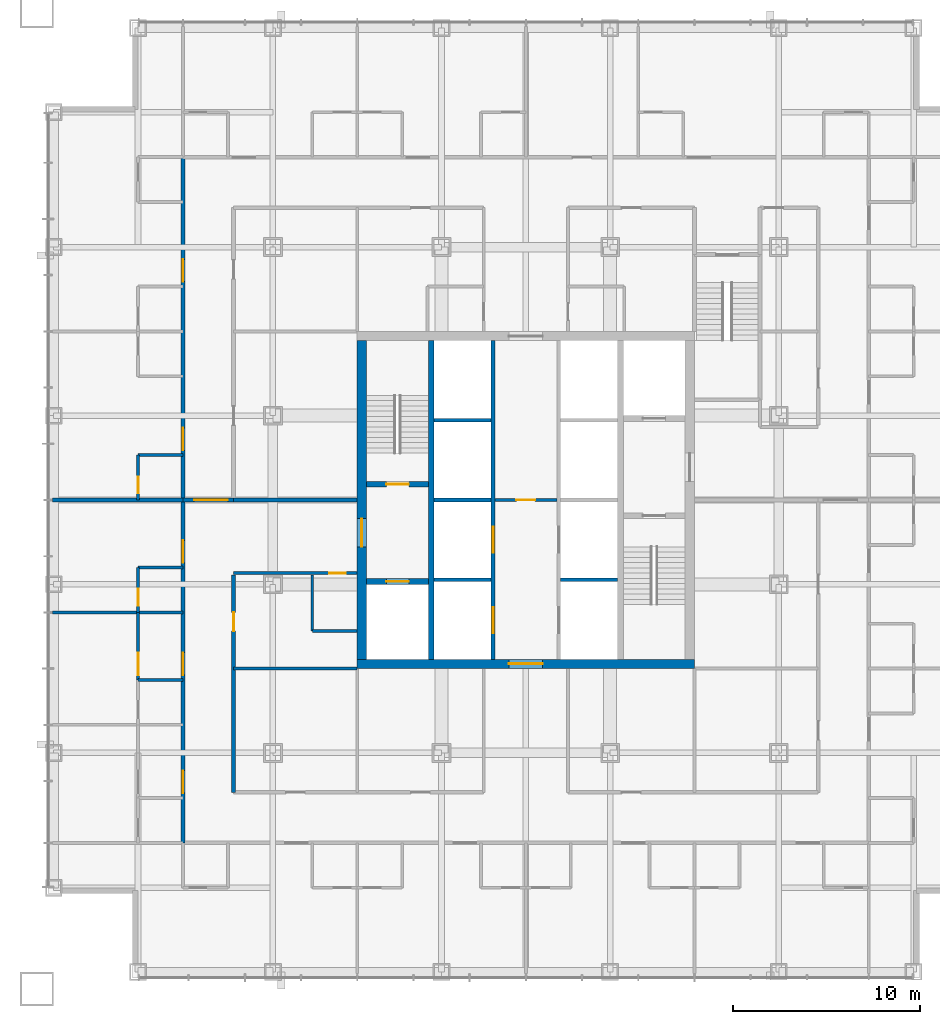
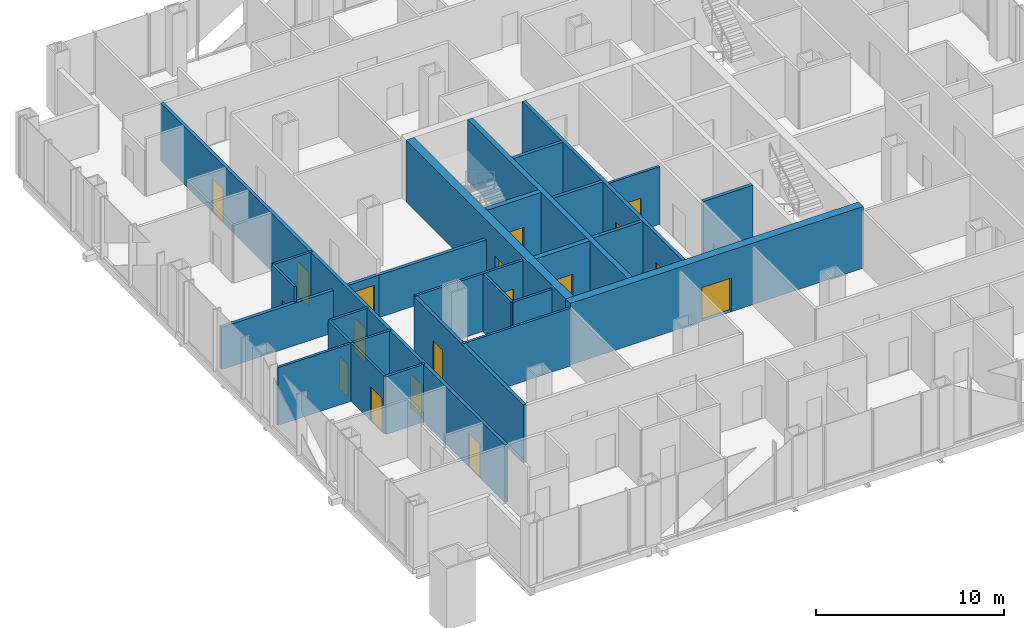
# One storey, part 8 of 13: 27 walls, 18 doors, 18 openings.
"""IFC4 building model written with IfcOpenShell, lengths in metres."""

from ifc_helpers import new_model, si_unit, direction, frame, frame_2d, origin, place, context, subcontext, project, spatial, rectangle, extrude, material, layer, layer_set, type_object, element, fill, save


model = new_model("IFC4")

# Units and contexts
model_context = context("Model", 3, precision=1e-05, world=origin(), true_north=direction((0.0, 1.0)))
body_context = subcontext(model_context, "Body", "Model", "MODEL_VIEW")
ifc_project = project(units=[si_unit("LENGTHUNIT", "METRE"), si_unit("AREAUNIT", "SQUARE_METRE"), si_unit("VOLUMEUNIT", "CUBIC_METRE"), si_unit("PLANEANGLEUNIT", "RADIAN"), si_unit("MASSUNIT", "GRAM", prefix="KILO")], contexts=[model_context])

# Site, building, storey
site_placement = place(None, origin())
site = spatial("IfcSite", under=ifc_project, at=site_placement, CompositionType="ELEMENT")
building_placement = place(site_placement, origin())
building = spatial("IfcBuilding", under=site, at=building_placement, Name="Malebo Sky Hospital", CompositionType="ELEMENT")
storey_placement = place(building_placement, frame((0.0, 0.0, 39.0)))
storey = spatial("IfcBuildingStorey", under=building, at=storey_placement, Name="L08", CompositionType="ELEMENT", Elevation=39.0)

# Wall, openings, doors
ifc_material_1 = material(Name="Concrete C80/95", Category="concrete")
ifc_layer_1 = layer(ifc_material_1, 0.199951171875)
ifc_layer_set_1 = layer_set([ifc_layer_1], Name="CORE INNER WALL 200")
wall_type_1 = type_object("IfcWallType", Name="CORE INNER WALL 200", PredefinedType="SHEAR", material=ifc_layer_set_1)
wall_1_placement = place(storey_placement, frame((58.25, 53.5, 0.0), z_axis=(0.0, 0.0, 1.0), x_axis=(0.0, 1.0, 0.0)))
wall_1 = element("IfcWall", 1, at=wall_1_placement, inside=storey, type_object=wall_type_1, Name="Core wall LW L08", PredefinedType="SHEAR", context=body_context, shape_type="SweptSolid", body=[
    extrude(rectangle(XDim=17.0, YDim=0.199951171875, at=frame_2d((8.5, 0.0))), origin(), (0.0, 0.0, 1.0), 4.0),
])
opening_1_placement = place(wall_1_placement, frame((1.375, 0.0, 0.0)))
opening_1 = element("IfcOpeningElement", 2, at=opening_1_placement, cuts=wall_1, Name="Opening LD1", PredefinedType="OPENING", context=body_context, shape_type="SweptSolid", body=[
    extrude(rectangle(XDim=1.39990234375, YDim=2.199951171875, at=frame_2d((0.699951171875, 1.10009765625))), frame((0.0, 0.10986328125, 0.0), z_axis=(0.0, -1.0, 0.0), x_axis=(1.0, 0.0, 0.0)), (0.0, 0.0, 1.0), 0.219970703125),
])
opening_2_placement = place(wall_1_placement, frame((5.675048828125, 0.0, 0.0)))
opening_2 = element("IfcOpeningElement", 3, at=opening_2_placement, cuts=wall_1, Name="Opening LD1", PredefinedType="OPENING", context=body_context, shape_type="SweptSolid", body=[
    extrude(rectangle(XDim=1.39990234375, YDim=2.199951171875, at=frame_2d((0.699951171875, 1.10009765625))), frame((0.0, 0.10986328125, 0.0), z_axis=(0.0, -1.0, 0.0), x_axis=(1.0, 0.0, 0.0)), (0.0, 0.0, 1.0), 0.219970703125),
])
ifc_material_2 = material(Name="Stainless steel sliding landing door", Category="steel")
door_type_1 = type_object("IfcDoorType", Name="LIFT LANDING DOOR 1400", OperationType="SLIDING_TO_LEFT", PredefinedType="DOOR", material=ifc_material_2)
door_1_placement = place(opening_1_placement, origin())
door_1 = element("IfcDoor", 4, at=door_1_placement, inside=storey, type_object=door_type_1, Name="Lift W1 landing door", OperationType="SLIDING_TO_LEFT", OverallHeight=2.199951171875, OverallWidth=1.39990234375, PredefinedType="DOOR", context=body_context, shape_type="SweptSolid", body=[
    extrude(rectangle(XDim=1.39990234375, YDim=2.199951171875, at=frame_2d((0.699951171875, 1.10009765625))), frame((0.0, 0.02490234375, 0.0), z_axis=(0.0, -1.0, 0.0), x_axis=(1.0, 0.0, 0.0)), (0.0, 0.0, 1.0), 0.050048828125),
])
fill(opening_1, door_1)
door_2_placement = place(opening_2_placement, origin())
door_2 = element("IfcDoor", 5, at=door_2_placement, inside=storey, type_object=door_type_1, Name="Lift W2 landing door", OperationType="SLIDING_TO_LEFT", OverallHeight=2.199951171875, OverallWidth=1.39990234375, PredefinedType="DOOR", context=body_context, shape_type="SweptSolid", body=[
    extrude(rectangle(XDim=1.39990234375, YDim=2.199951171875, at=frame_2d((0.699951171875, 1.10009765625))), frame((0.0, 0.02490234375, 0.0), z_axis=(0.0, -1.0, 0.0), x_axis=(1.0, 0.0, 0.0)), (0.0, 0.0, 1.0), 0.050048828125),
])
fill(opening_2, door_2)

# Walls
for number, where, z_axis, x_axis, name in (
    (6, (55.10009765625, 57.75, 0.0), (0.0, 0.0, 1.0), (1.0, 0.0, 0.0), "Core wall SW0 L08"),
    (7, (61.85009765625, 57.75, 0.0), (0.0, 0.0, 1.0), (1.0, 0.0, 0.0), "Core wall SE0 L08"),
    (8, (55.10009765625, 62.0, 0.0), (0.0, 0.0, 1.0), (1.0, 0.0, 0.0), "Core wall SW1 L08"),
    (9, (55.10009765625, 66.25, 0.0), (0.0, 0.0, 1.0), (1.0, 0.0, 0.0), "Core wall SW2 L08"),
):
    element("IfcWall", number, at=place(storey_placement, frame(where, z_axis=z_axis, x_axis=x_axis)), inside=storey, type_object=wall_type_1, Name=name, PredefinedType="SHEAR", context=body_context, shape_type="SweptSolid", body=[
        extrude(rectangle(XDim=3.0498046875, YDim=0.199951171875, at=frame_2d((1.52490234375, 0.0))), origin(), (0.0, 0.0, 1.0), 4.0),
    ])
ifc_layer_2 = layer(ifc_material_1, 0.300048828125)
ifc_layer_set_2 = layer_set([ifc_layer_2], Name="CORE INNER WALL 300")
wall_type_2 = type_object("IfcWallType", Name="CORE INNER WALL 300", PredefinedType="SHEAR", material=ifc_layer_set_2)
wall_2_placement = place(storey_placement, frame((54.949951171875, 53.5, 0.0), z_axis=(0.0, 0.0, 1.0), x_axis=(0.0, 1.0, 0.0)))
element("IfcWall", 10, at=wall_2_placement, inside=storey, type_object=wall_type_2, Name="Core wall XW L08", PredefinedType="SHEAR", context=body_context, shape_type="SweptSolid", body=[
    extrude(rectangle(XDim=17.0, YDim=0.300048828125, at=frame_2d((8.5, 0.0))), origin(), (0.0, 0.0, 1.0), 4.0),
])

# Wall, opening, door
wall_3_placement = place(storey_placement, frame((51.5, 62.85009765625, 0.0), z_axis=(0.0, 0.0, 1.0), x_axis=(1.0, 0.0, 0.0)))
wall_3 = element("IfcWall", 11, at=wall_3_placement, inside=storey, type_object=wall_type_2, Name="Core wall W1 L08", PredefinedType="SHEAR", context=body_context, shape_type="SweptSolid", body=[
    extrude(rectangle(XDim=3.300048828125, YDim=0.300048828125, at=frame_2d((1.64990234375, 0.0))), origin(), (0.0, 0.0, 1.0), 4.0),
])
opening_3_placement = place(wall_3_placement, frame((1.050048828125, 0.0, 0.0)))
opening_3 = element("IfcOpeningElement", 12, at=opening_3_placement, cuts=wall_3, Name="Opening D08", PredefinedType="OPENING", context=body_context, shape_type="SweptSolid", body=[
    extrude(rectangle(XDim=1.199951171875, YDim=2.10009765625, at=frame_2d((0.60009765625, 1.050048828125))), frame((0.0, 0.159912109375, 0.0), z_axis=(0.0, -1.0, 0.0), x_axis=(1.0, 0.0, 0.0)), (0.0, 0.0, 1.0), 0.320068359375),
])
ifc_material_3 = material(Name="Hardwood-faced door leaf in steel frame", Category="steel")
door_type_2 = type_object("IfcDoorType", Name="STAIR DOOR 1200", OperationType="SINGLE_SWING_LEFT", PredefinedType="DOOR", material=ifc_material_3)
door_3_placement = place(opening_3_placement, origin())
door_3 = element("IfcDoor", 13, at=door_3_placement, inside=storey, type_object=door_type_2, Name="Stair S1 door", OperationType="SINGLE_SWING_LEFT", OverallHeight=2.10009765625, OverallWidth=1.199951171875, PredefinedType="DOOR", context=body_context, shape_type="SweptSolid", body=[
    extrude(rectangle(XDim=1.199951171875, YDim=2.10009765625, at=frame_2d((0.60009765625, 1.050048828125))), frame((0.0, 0.02490234375, 0.0), z_axis=(0.0, -1.0, 0.0), x_axis=(1.0, 0.0, 0.0)), (0.0, 0.0, 1.0), 0.050048828125),
])
fill(opening_3, door_3)

wall_4_placement = place(storey_placement, frame((51.5, 57.64990234375, 0.0), z_axis=(0.0, 0.0, 1.0), x_axis=(1.0, 0.0, 0.0)))
wall_4 = element("IfcWall", 14, at=wall_4_placement, inside=storey, type_object=wall_type_2, Name="Core wall W2 L08", PredefinedType="SHEAR", context=body_context, shape_type="SweptSolid", body=[
    extrude(rectangle(XDim=3.300048828125, YDim=0.300048828125, at=frame_2d((1.64990234375, 0.0))), origin(), (0.0, 0.0, 1.0), 4.0),
])
opening_4_placement = place(wall_4_placement, frame((1.050048828125, 0.0, 0.0)))
opening_4 = element("IfcOpeningElement", 15, at=opening_4_placement, cuts=wall_4, Name="Opening LD2", PredefinedType="OPENING", context=body_context, shape_type="SweptSolid", body=[
    extrude(rectangle(XDim=1.199951171875, YDim=2.199951171875, at=frame_2d((0.60009765625, 1.10009765625))), frame((0.0, 0.159912109375, 0.0), z_axis=(0.0, -1.0, 0.0), x_axis=(1.0, 0.0, 0.0)), (0.0, 0.0, 1.0), 0.320068359375),
])
door_type_3 = type_object("IfcDoorType", Name="FIRE-FIGHTING LIFT LANDING DOOR 1200", OperationType="SLIDING_TO_LEFT", PredefinedType="DOOR", material=ifc_material_2)
door_4_placement = place(opening_4_placement, origin())
door_4 = element("IfcDoor", 16, at=door_4_placement, inside=storey, type_object=door_type_3, Name="Lift FL1 landing door", OperationType="SLIDING_TO_LEFT", OverallHeight=2.199951171875, OverallWidth=1.199951171875, PredefinedType="DOOR", context=body_context, shape_type="SweptSolid", body=[
    extrude(rectangle(XDim=1.199951171875, YDim=2.199951171875, at=frame_2d((0.60009765625, 1.10009765625))), frame((0.0, 0.02490234375, 0.0), z_axis=(0.0, -1.0, 0.0), x_axis=(1.0, 0.0, 0.0)), (0.0, 0.0, 1.0), 0.050048828125),
])
fill(opening_4, door_4)

ifc_layer_3 = layer(ifc_material_1, 0.5)
ifc_layer_set_3 = layer_set([ifc_layer_3], Name="CORE WALL 500")
wall_type_3 = type_object("IfcWallType", Name="CORE WALL 500", PredefinedType="SHEAR", material=ifc_layer_set_3)
wall_5_placement = place(storey_placement, frame((51.0, 53.25, 0.0), z_axis=(0.0, 0.0, 1.0), x_axis=(1.0, 0.0, 0.0)))
wall_5 = element("IfcWall", 17, at=wall_5_placement, inside=storey, type_object=wall_type_3, Name="Core wall S L08", PredefinedType="SHEAR", context=body_context, shape_type="SweptSolid", body=[
    extrude(rectangle(XDim=18.0, YDim=0.5, at=frame_2d((9.0, 0.0))), origin(), (0.0, 0.0, 1.0), 4.0),
])
opening_5_placement = place(wall_5_placement, frame((8.10009765625, 0.0, 0.0)))
opening_5 = element("IfcOpeningElement", 18, at=opening_5_placement, cuts=wall_5, Name="Opening D06", PredefinedType="OPENING", context=body_context, shape_type="SweptSolid", body=[
    extrude(rectangle(XDim=1.800048828125, YDim=2.199951171875, at=frame_2d((0.89990234375, 1.10009765625))), frame((0.0, 0.260009765625, 0.0), z_axis=(0.0, -1.0, 0.0), x_axis=(1.0, 0.0, 0.0)), (0.0, 0.0, 1.0), 0.52001953125),
])
door_type_4 = type_object("IfcDoorType", Name="LOBBY DOOR PAIR 1800", OperationType="DOUBLE_DOOR_SINGLE_SWING", PredefinedType="DOOR", material=ifc_material_3)
door_5_placement = place(opening_5_placement, origin())
door_5 = element("IfcDoor", 19, at=door_5_placement, inside=storey, type_object=door_type_4, Name="Lift lobby door south", OperationType="DOUBLE_DOOR_SINGLE_SWING", OverallHeight=2.199951171875, OverallWidth=1.800048828125, PredefinedType="DOOR", context=body_context, shape_type="SweptSolid", body=[
    extrude(rectangle(XDim=1.800048828125, YDim=2.199951171875, at=frame_2d((0.89990234375, 1.10009765625))), frame((0.0, 0.02490234375, 0.0), z_axis=(0.0, -1.0, 0.0), x_axis=(1.0, 0.0, 0.0)), (0.0, 0.0, 1.0), 0.050048828125),
])
fill(opening_5, door_5)

wall_6_placement = place(storey_placement, frame((51.25, 53.5, 0.0), z_axis=(0.0, 0.0, 1.0), x_axis=(0.0, 1.0, 0.0)))
wall_6 = element("IfcWall", 20, at=wall_6_placement, inside=storey, type_object=wall_type_3, Name="Core wall W L08", PredefinedType="SHEAR", context=body_context, shape_type="SweptSolid", body=[
    extrude(rectangle(XDim=17.0, YDim=0.5, at=frame_2d((8.5, 0.0))), origin(), (0.0, 0.0, 1.0), 4.0),
])
opening_6_placement = place(wall_6_placement, frame((6.0, 0.0, 0.0)))
opening_6 = element("IfcOpeningElement", 21, at=opening_6_placement, cuts=wall_6, Name="Opening D07", PredefinedType="OPENING", context=body_context, shape_type="SweptSolid", body=[
    extrude(rectangle(XDim=1.5, YDim=2.199951171875, at=frame_2d((0.75, 1.10009765625))), frame((0.0, 0.260009765625, 0.0), z_axis=(0.0, -1.0, 0.0), x_axis=(1.0, 0.0, 0.0)), (0.0, 0.0, 1.0), 0.52001953125),
])
door_type_5 = type_object("IfcDoorType", Name="FIRE-FIGHTING LOBBY DOOR PAIR 1500", OperationType="DOUBLE_DOOR_SINGLE_SWING", PredefinedType="DOOR", material=ifc_material_3)
door_6_placement = place(opening_6_placement, origin())
door_6 = element("IfcDoor", 22, at=door_6_placement, inside=storey, type_object=door_type_5, Name="Fire-fighting lobby door west", OperationType="DOUBLE_DOOR_SINGLE_SWING", OverallHeight=2.199951171875, OverallWidth=1.5, PredefinedType="DOOR", context=body_context, shape_type="SweptSolid", body=[
    extrude(rectangle(XDim=1.5, YDim=2.199951171875, at=frame_2d((0.75, 1.10009765625))), frame((0.0, 0.02490234375, 0.0), z_axis=(0.0, -1.0, 0.0), x_axis=(1.0, 0.0, 0.0)), (0.0, 0.0, 1.0), 0.050048828125),
])
fill(opening_6, door_6)

# Wall, openings, doors
ifc_material_4 = material(Name="Gypsum board on steel studs", Category="steel")
ifc_layer_4 = layer(ifc_material_4, 0.199951171875)
ifc_layer_set_4 = layer_set([ifc_layer_4], Name="CORRIDOR WALL 200")
wall_type_4 = type_object("IfcWallType", Name="CORRIDOR WALL 200", PredefinedType="PARTITIONING", material=ifc_layer_set_4)
wall_7_placement = place(storey_placement, frame((41.699951171875, 43.699951171875, 0.0), z_axis=(0.0, 0.0, 1.0), x_axis=(0.0, 1.0, 0.0)))
wall_7 = element("IfcWall", 23, at=wall_7_placement, inside=storey, type_object=wall_type_4, Name="Corridor Wall 200 WCO", PredefinedType="PARTITIONING", context=body_context, shape_type="SweptSolid", body=[
    extrude(rectangle(XDim=36.60009765625, YDim=0.199951171875, at=frame_2d((18.300048828125, 0.0))), origin(), (0.0, 0.0, 1.0), 3.75),
])
opening_7_placement = place(wall_7_placement, frame((2.64990234375, 0.0, 0.0)))
opening_7 = element("IfcOpeningElement", 24, at=opening_7_placement, cuts=wall_7, Name="Opening D18", PredefinedType="OPENING", context=body_context, shape_type="SweptSolid", body=[
    extrude(rectangle(XDim=1.199951171875, YDim=2.199951171875, at=frame_2d((0.60009765625, 1.10009765625))), frame((0.0, 0.10986328125, 0.0), z_axis=(0.0, -1.0, 0.0), x_axis=(1.0, 0.0, 0.0)), (0.0, 0.0, 1.0), 0.219970703125),
])
opening_8_placement = place(wall_7_placement, frame((8.949951171875, 0.0, 0.0)))
opening_8 = element("IfcOpeningElement", 25, at=opening_8_placement, cuts=wall_7, Name="Opening D18", PredefinedType="OPENING", context=body_context, shape_type="SweptSolid", body=[
    extrude(rectangle(XDim=1.199951171875, YDim=2.199951171875, at=frame_2d((0.60009765625, 1.10009765625))), frame((0.0, 0.10986328125, 0.0), z_axis=(0.0, -1.0, 0.0), x_axis=(1.0, 0.0, 0.0)), (0.0, 0.0, 1.0), 0.219970703125),
])
opening_9_placement = place(wall_7_placement, frame((14.949951171875, 0.0, 0.0)))
opening_9 = element("IfcOpeningElement", 26, at=opening_9_placement, cuts=wall_7, Name="Opening D01", PredefinedType="OPENING", context=body_context, shape_type="SweptSolid", body=[
    extrude(rectangle(XDim=1.199951171875, YDim=2.199951171875, at=frame_2d((0.60009765625, 1.10009765625))), frame((0.0, 0.10986328125, 0.0), z_axis=(0.0, -1.0, 0.0), x_axis=(1.0, 0.0, 0.0)), (0.0, 0.0, 1.0), 0.219970703125),
])
opening_10_placement = place(wall_7_placement, frame((20.949951171875, 0.0, 0.0)))
opening_10 = element("IfcOpeningElement", 27, at=opening_10_placement, cuts=wall_7, Name="Opening D01", PredefinedType="OPENING", context=body_context, shape_type="SweptSolid", body=[
    extrude(rectangle(XDim=1.199951171875, YDim=2.199951171875, at=frame_2d((0.60009765625, 1.10009765625))), frame((0.0, 0.10986328125, 0.0), z_axis=(0.0, -1.0, 0.0), x_axis=(1.0, 0.0, 0.0)), (0.0, 0.0, 1.0), 0.219970703125),
])
opening_11_placement = place(wall_7_placement, frame((29.949951171875, 0.0, 0.0)))
opening_11 = element("IfcOpeningElement", 28, at=opening_11_placement, cuts=wall_7, Name="Opening D01", PredefinedType="OPENING", context=body_context, shape_type="SweptSolid", body=[
    extrude(rectangle(XDim=1.199951171875, YDim=2.199951171875, at=frame_2d((0.60009765625, 1.10009765625))), frame((0.0, 0.10986328125, 0.0), z_axis=(0.0, -1.0, 0.0), x_axis=(1.0, 0.0, 0.0)), (0.0, 0.0, 1.0), 0.219970703125),
])
door_type_6 = type_object("IfcDoorType", Name="ANTEROOM DOOR 1200", OperationType="SINGLE_SWING_LEFT", PredefinedType="DOOR", material=ifc_material_3)
door_7_placement = place(opening_7_placement, origin())
door_7 = element("IfcDoor", 29, at=door_7_placement, inside=storey, type_object=door_type_6, Name="Anteroom door", OperationType="SINGLE_SWING_LEFT", OverallHeight=2.199951171875, OverallWidth=1.199951171875, PredefinedType="DOOR", context=body_context, shape_type="SweptSolid", body=[
    extrude(rectangle(XDim=1.199951171875, YDim=2.199951171875, at=frame_2d((0.60009765625, 1.10009765625))), frame((0.0, 0.02490234375, 0.0), z_axis=(0.0, -1.0, 0.0), x_axis=(1.0, 0.0, 0.0)), (0.0, 0.0, 1.0), 0.050048828125),
])
fill(opening_7, door_7)
door_8_placement = place(opening_8_placement, origin())
door_8 = element("IfcDoor", 30, at=door_8_placement, inside=storey, type_object=door_type_6, Name="Anteroom door", OperationType="SINGLE_SWING_LEFT", OverallHeight=2.199951171875, OverallWidth=1.199951171875, PredefinedType="DOOR", context=body_context, shape_type="SweptSolid", body=[
    extrude(rectangle(XDim=1.199951171875, YDim=2.199951171875, at=frame_2d((0.60009765625, 1.10009765625))), frame((0.0, 0.02490234375, 0.0), z_axis=(0.0, -1.0, 0.0), x_axis=(1.0, 0.0, 0.0)), (0.0, 0.0, 1.0), 0.050048828125),
])
fill(opening_8, door_8)
door_type_7 = type_object("IfcDoorType", Name="BED DOOR 1200", OperationType="SINGLE_SWING_LEFT", PredefinedType="DOOR", material=ifc_material_3)
door_9_placement = place(opening_9_placement, origin())
door_9 = element("IfcDoor", 31, at=door_9_placement, inside=storey, type_object=door_type_7, Name="Two-bed room door", OperationType="SINGLE_SWING_LEFT", OverallHeight=2.199951171875, OverallWidth=1.199951171875, PredefinedType="DOOR", context=body_context, shape_type="SweptSolid", body=[
    extrude(rectangle(XDim=1.199951171875, YDim=2.199951171875, at=frame_2d((0.60009765625, 1.10009765625))), frame((0.0, 0.02490234375, 0.0), z_axis=(0.0, -1.0, 0.0), x_axis=(1.0, 0.0, 0.0)), (0.0, 0.0, 1.0), 0.050048828125),
])
fill(opening_9, door_9)
door_10_placement = place(opening_10_placement, origin())
door_10 = element("IfcDoor", 32, at=door_10_placement, inside=storey, type_object=door_type_7, Name="Four-bed bay door", OperationType="SINGLE_SWING_LEFT", OverallHeight=2.199951171875, OverallWidth=1.199951171875, PredefinedType="DOOR", context=body_context, shape_type="SweptSolid", body=[
    extrude(rectangle(XDim=1.199951171875, YDim=2.199951171875, at=frame_2d((0.60009765625, 1.10009765625))), frame((0.0, 0.02490234375, 0.0), z_axis=(0.0, -1.0, 0.0), x_axis=(1.0, 0.0, 0.0)), (0.0, 0.0, 1.0), 0.050048828125),
])
fill(opening_10, door_10)
door_11_placement = place(opening_11_placement, origin())
door_11 = element("IfcDoor", 33, at=door_11_placement, inside=storey, type_object=door_type_7, Name="Four-bed bay door", OperationType="SINGLE_SWING_LEFT", OverallHeight=2.199951171875, OverallWidth=1.199951171875, PredefinedType="DOOR", context=body_context, shape_type="SweptSolid", body=[
    extrude(rectangle(XDim=1.199951171875, YDim=2.199951171875, at=frame_2d((0.60009765625, 1.10009765625))), frame((0.0, 0.02490234375, 0.0), z_axis=(0.0, -1.0, 0.0), x_axis=(1.0, 0.0, 0.0)), (0.0, 0.0, 1.0), 0.050048828125),
])
fill(opening_11, door_11)

# Wall, opening, door
wall_8_placement = place(storey_placement, frame((44.39990234375, 46.39990234375, 0.0), z_axis=(0.0, 0.0, 1.0), x_axis=(0.0, 1.0, 0.0)))
wall_8 = element("IfcWall", 34, at=wall_8_placement, inside=storey, type_object=wall_type_4, Name="Corridor Wall 200 WCI1", PredefinedType="PARTITIONING", context=body_context, shape_type="SweptSolid", body=[
    extrude(rectangle(XDim=11.60009765625, YDim=0.199951171875, at=frame_2d((5.800048828125, 0.0))), origin(), (0.0, 0.0, 1.0), 3.75),
])
opening_12_placement = place(wall_8_placement, frame((8.60009765625, 0.0, 0.0)))
opening_12 = element("IfcOpeningElement", 35, at=opening_12_placement, cuts=wall_8, Name="Opening D03", PredefinedType="OPENING", context=body_context, shape_type="SweptSolid", body=[
    extrude(rectangle(XDim=1.0, YDim=2.10009765625, at=frame_2d((0.5, 1.050048828125))), frame((0.0, 0.10986328125, 0.0), z_axis=(0.0, -1.0, 0.0), x_axis=(1.0, 0.0, 0.0)), (0.0, 0.0, 1.0), 0.219970703125),
])
door_type_8 = type_object("IfcDoorType", Name="ROOM DOOR 1000", OperationType="SINGLE_SWING_LEFT", PredefinedType="DOOR", material=ifc_material_3)
door_12_placement = place(opening_12_placement, origin())
door_12 = element("IfcDoor", 36, at=door_12_placement, inside=storey, type_object=door_type_8, Name="Linen store door", OperationType="SINGLE_SWING_LEFT", OverallHeight=2.10009765625, OverallWidth=1.0, PredefinedType="DOOR", context=body_context, shape_type="SweptSolid", body=[
    extrude(rectangle(XDim=1.0, YDim=2.10009765625, at=frame_2d((0.5, 1.050048828125))), frame((0.0, 0.02490234375, 0.0), z_axis=(0.0, -1.0, 0.0), x_axis=(1.0, 0.0, 0.0)), (0.0, 0.0, 1.0), 0.050048828125),
])
fill(opening_12, door_12)

# Walls
ifc_layer_5 = layer(ifc_material_4, 0.14990234375)
ifc_layer_set_5 = layer_set([ifc_layer_5], Name="PARTITION 150")
wall_type_5 = type_object("IfcWallType", Name="PARTITION 150", PredefinedType="PARTITIONING", material=ifc_layer_set_5)
wall_9_placement = place(storey_placement, frame((41.699951171875, 56.0, 0.0), z_axis=(0.0, 0.0, 1.0), x_axis=(-1.0, 0.0, 0.0)))
element("IfcWall", 37, at=wall_9_placement, inside=storey, type_object=wall_type_5, Name="Partition 150 WP-6.0", PredefinedType="PARTITIONING", context=body_context, shape_type="SweptSolid", body=[
    extrude(rectangle(XDim=6.974853515625, YDim=0.14990234375, at=frame_2d((3.4873046875, 0.0))), origin(), (0.0, 0.0, 1.0), 3.75),
])
wall_10_placement = place(storey_placement, frame((41.699951171875, 52.39990234375, 0.0), z_axis=(0.0, 0.0, 1.0), x_axis=(-1.0, 0.0, 0.0)))
element("IfcWall", 38, at=wall_10_placement, inside=storey, type_object=wall_type_5, Name="Partition 150 WE1S", PredefinedType="PARTITIONING", context=body_context, shape_type="SweptSolid", body=[
    extrude(rectangle(XDim=2.39990234375, YDim=0.14990234375, at=frame_2d((1.199951171875, 0.0))), origin(), (0.0, 0.0, 1.0), 3.75),
])

# Wall, opening, door
wall_11_placement = place(storey_placement, frame((39.300048828125, 56.0, 0.0), z_axis=(0.0, 0.0, 1.0), x_axis=(0.0, 1.0, 0.0)))
wall_11 = element("IfcWall", 39, at=wall_11_placement, inside=storey, type_object=wall_type_5, Name="Partition 150 WE2F", PredefinedType="PARTITIONING", context=body_context, shape_type="SweptSolid", body=[
    extrude(rectangle(XDim=2.39990234375, YDim=0.14990234375, at=frame_2d((1.199951171875, 0.0))), origin(), (0.0, 0.0, 1.0), 3.75),
])
opening_13_placement = place(wall_11_placement, frame((0.35009765625, 0.0, 0.0)))
opening_13 = element("IfcOpeningElement", 40, at=opening_13_placement, cuts=wall_11, Name="Opening D02", PredefinedType="OPENING", context=body_context, shape_type="SweptSolid", body=[
    extrude(rectangle(XDim=0.89990234375, YDim=2.10009765625, at=frame_2d((0.449951171875, 1.050048828125))), frame((0.0, 0.0849609375, 0.0), z_axis=(0.0, -1.0, 0.0), x_axis=(1.0, 0.0, 0.0)), (0.0, 0.0, 1.0), 0.169921875),
])
door_type_9 = type_object("IfcDoorType", Name="EN-SUITE DOOR 900", OperationType="SINGLE_SWING_LEFT", PredefinedType="DOOR", material=ifc_material_3)
door_13_placement = place(opening_13_placement, origin())
door_13 = element("IfcDoor", 41, at=door_13_placement, inside=storey, type_object=door_type_9, Name="En-suite door", OperationType="SINGLE_SWING_LEFT", OverallHeight=2.10009765625, OverallWidth=0.89990234375, PredefinedType="DOOR", context=body_context, shape_type="SweptSolid", body=[
    extrude(rectangle(XDim=0.89990234375, YDim=2.10009765625, at=frame_2d((0.449951171875, 1.050048828125))), frame((0.0, 0.02490234375, 0.0), z_axis=(0.0, -1.0, 0.0), x_axis=(1.0, 0.0, 0.0)), (0.0, 0.0, 1.0), 0.050048828125),
])
fill(opening_13, door_13)

# Wall
wall_12_placement = place(storey_placement, frame((41.699951171875, 58.39990234375, 0.0), z_axis=(0.0, 0.0, 1.0), x_axis=(-1.0, 0.0, 0.0)))
element("IfcWall", 42, at=wall_12_placement, inside=storey, type_object=wall_type_5, Name="Partition 150 WE2S", PredefinedType="PARTITIONING", context=body_context, shape_type="SweptSolid", body=[
    extrude(rectangle(XDim=2.39990234375, YDim=0.14990234375, at=frame_2d((1.199951171875, 0.0))), origin(), (0.0, 0.0, 1.0), 3.75),
])

# Wall, opening, door
wall_13_placement = place(storey_placement, frame((39.300048828125, 62.0, 0.0), z_axis=(0.0, 0.0, 1.0), x_axis=(0.0, 1.0, 0.0)))
wall_13 = element("IfcWall", 43, at=wall_13_placement, inside=storey, type_object=wall_type_5, Name="Partition 150 WE3F", PredefinedType="PARTITIONING", context=body_context, shape_type="SweptSolid", body=[
    extrude(rectangle(XDim=2.39990234375, YDim=0.14990234375, at=frame_2d((1.199951171875, 0.0))), origin(), (0.0, 0.0, 1.0), 3.75),
])
opening_14_placement = place(wall_13_placement, frame((0.35009765625, 0.0, 0.0)))
opening_14 = element("IfcOpeningElement", 44, at=opening_14_placement, cuts=wall_13, Name="Opening D02", PredefinedType="OPENING", context=body_context, shape_type="SweptSolid", body=[
    extrude(rectangle(XDim=0.89990234375, YDim=2.10009765625, at=frame_2d((0.449951171875, 1.050048828125))), frame((0.0, 0.0849609375, 0.0), z_axis=(0.0, -1.0, 0.0), x_axis=(1.0, 0.0, 0.0)), (0.0, 0.0, 1.0), 0.169921875),
])
door_14_placement = place(opening_14_placement, origin())
door_14 = element("IfcDoor", 45, at=door_14_placement, inside=storey, type_object=door_type_9, Name="En-suite door", OperationType="SINGLE_SWING_LEFT", OverallHeight=2.10009765625, OverallWidth=0.89990234375, PredefinedType="DOOR", context=body_context, shape_type="SweptSolid", body=[
    extrude(rectangle(XDim=0.89990234375, YDim=2.10009765625, at=frame_2d((0.449951171875, 1.050048828125))), frame((0.0, 0.02490234375, 0.0), z_axis=(0.0, -1.0, 0.0), x_axis=(1.0, 0.0, 0.0)), (0.0, 0.0, 1.0), 0.050048828125),
])
fill(opening_14, door_14)

# Walls
wall_14_placement = place(storey_placement, frame((41.699951171875, 64.39990234375, 0.0), z_axis=(0.0, 0.0, 1.0), x_axis=(-1.0, 0.0, 0.0)))
element("IfcWall", 46, at=wall_14_placement, inside=storey, type_object=wall_type_5, Name="Partition 150 WE3S", PredefinedType="PARTITIONING", context=body_context, shape_type="SweptSolid", body=[
    extrude(rectangle(XDim=2.39990234375, YDim=0.14990234375, at=frame_2d((1.199951171875, 0.0))), origin(), (0.0, 0.0, 1.0), 3.75),
])
wall_15_placement = place(storey_placement, frame((51.0, 53.0, 0.0), z_axis=(0.0, 0.0, 1.0), x_axis=(-1.0, 0.0, 0.0)))
element("IfcWall", 47, at=wall_15_placement, inside=storey, type_object=wall_type_5, Name="Partition 150 WSP0", PredefinedType="PARTITIONING", context=body_context, shape_type="SweptSolid", body=[
    extrude(rectangle(XDim=6.60009765625, YDim=0.14990234375, at=frame_2d((3.300048828125, 0.0))), origin(), (0.0, 0.0, 1.0), 3.75),
])

# Wall, opening, door
wall_16_placement = place(storey_placement, frame((51.0, 58.10009765625, 0.0), z_axis=(0.0, 0.0, 1.0), x_axis=(-1.0, 0.0, 0.0)))
wall_16 = element("IfcWall", 48, at=wall_16_placement, inside=storey, type_object=wall_type_5, Name="Partition 150 WSPA", PredefinedType="PARTITIONING", context=body_context, shape_type="SweptSolid", body=[
    extrude(rectangle(XDim=6.60009765625, YDim=0.14990234375, at=frame_2d((3.300048828125, 0.0))), origin(), (0.0, 0.0, 1.0), 3.75),
])
opening_15_placement = place(wall_16_placement, frame((0.60009765625, 0.0, 0.0)))
opening_15 = element("IfcOpeningElement", 49, at=opening_15_placement, cuts=wall_16, Name="Opening D04", PredefinedType="OPENING", context=body_context, shape_type="SweptSolid", body=[
    extrude(rectangle(XDim=0.89990234375, YDim=2.10009765625, at=frame_2d((0.449951171875, 1.050048828125))), frame((0.0, 0.0849609375, 0.0), z_axis=(0.0, -1.0, 0.0), x_axis=(1.0, 0.0, 0.0)), (0.0, 0.0, 1.0), 0.169921875),
])
door_type_10 = type_object("IfcDoorType", Name="ROOM DOOR 900", OperationType="SINGLE_SWING_LEFT", PredefinedType="DOOR", material=ifc_material_3)
door_15_placement = place(opening_15_placement, origin())
door_15 = element("IfcDoor", 50, at=door_15_placement, inside=storey, type_object=door_type_10, Name="Cleaner's room door", OperationType="SINGLE_SWING_LEFT", OverallHeight=2.10009765625, OverallWidth=0.89990234375, PredefinedType="DOOR", context=body_context, shape_type="SweptSolid", body=[
    extrude(rectangle(XDim=0.89990234375, YDim=2.10009765625, at=frame_2d((0.449951171875, 1.050048828125))), frame((0.0, 0.02490234375, 0.0), z_axis=(0.0, -1.0, 0.0), x_axis=(1.0, 0.0, 0.0)), (0.0, 0.0, 1.0), 0.050048828125),
])
fill(opening_15, door_15)

# Walls
wall_17_placement = place(storey_placement, frame((48.60009765625, 55.0, 0.0), z_axis=(0.0, 0.0, 1.0), x_axis=(0.0, 1.0, 0.0)))
element("IfcWall", 51, at=wall_17_placement, inside=storey, type_object=wall_type_5, Name="Partition 150 WSX0", PredefinedType="PARTITIONING", context=body_context, shape_type="SweptSolid", body=[
    extrude(rectangle(XDim=3.0, YDim=0.14990234375, at=frame_2d((1.5, 0.0))), origin(), (0.0, 0.0, 1.0), 3.75),
])
wall_18_placement = place(storey_placement, frame((51.0, 55.0, 0.0), z_axis=(0.0, 0.0, 1.0), x_axis=(-1.0, 0.0, 0.0)))
element("IfcWall", 52, at=wall_18_placement, inside=storey, type_object=wall_type_5, Name="Partition 150 WSY0", PredefinedType="PARTITIONING", context=body_context, shape_type="SweptSolid", body=[
    extrude(rectangle(XDim=2.39990234375, YDim=0.14990234375, at=frame_2d((1.199951171875, 0.0))), origin(), (0.0, 0.0, 1.0), 3.75),
])

# Wall, opening, door
wall_19_placement = place(storey_placement, frame((58.35009765625, 62.0, 0.0), z_axis=(0.0, 0.0, 1.0), x_axis=(1.0, 0.0, 0.0)))
wall_19 = element("IfcWall", 53, at=wall_19_placement, inside=storey, type_object=wall_type_5, Name="Partition 150 LBN", PredefinedType="PARTITIONING", context=body_context, shape_type="SweptSolid", body=[
    extrude(rectangle(XDim=3.2998046875, YDim=0.14990234375, at=frame_2d((1.64990234375, 0.0))), origin(), (0.0, 0.0, 1.0), 3.75),
])
opening_16_placement = place(wall_19_placement, frame((1.14990234375, 0.0, 0.0)))
opening_16 = element("IfcOpeningElement", 54, at=opening_16_placement, cuts=wall_19, Name="Opening D03", PredefinedType="OPENING", context=body_context, shape_type="SweptSolid", body=[
    extrude(rectangle(XDim=1.0, YDim=2.10009765625, at=frame_2d((0.5, 1.050048828125))), frame((0.0, 0.0849609375, 0.0), z_axis=(0.0, -1.0, 0.0), x_axis=(1.0, 0.0, 0.0)), (0.0, 0.0, 1.0), 0.169921875),
])
door_16_placement = place(opening_16_placement, origin())
door_16 = element("IfcDoor", 55, at=door_16_placement, inside=storey, type_object=door_type_8, Name="Linen store door", OperationType="SINGLE_SWING_LEFT", OverallHeight=2.10009765625, OverallWidth=1.0, PredefinedType="DOOR", context=body_context, shape_type="SweptSolid", body=[
    extrude(rectangle(XDim=1.0, YDim=2.10009765625, at=frame_2d((0.5, 1.050048828125))), frame((0.0, 0.02490234375, 0.0), z_axis=(0.0, -1.0, 0.0), x_axis=(1.0, 0.0, 0.0)), (0.0, 0.0, 1.0), 0.050048828125),
])
fill(opening_16, door_16)

ifc_material_5 = material(Name="Sealed gypsum board on steel studs, taped to the slab", Category="steel")
ifc_layer_6 = layer(ifc_material_5, 0.14990234375)
ifc_layer_set_6 = layer_set([ifc_layer_6], Name="SEALED ISOLATION PARTITION 150")
wall_type_6 = type_object("IfcWallType", Name="SEALED ISOLATION PARTITION 150", PredefinedType="PARTITIONING", material=ifc_layer_set_6)
wall_20_placement = place(storey_placement, frame((39.300048828125, 52.39990234375, 0.0), z_axis=(0.0, 0.0, 1.0), x_axis=(0.0, 1.0, 0.0)))
wall_20 = element("IfcWall", 56, at=wall_20_placement, inside=storey, type_object=wall_type_6, Name="Sealed Isolation Partition 150 WA1F", PredefinedType="PARTITIONING", context=body_context, shape_type="SweptSolid", body=[
    extrude(rectangle(XDim=3.60009765625, YDim=0.14990234375, at=frame_2d((1.800048828125, 0.0))), origin(), (0.0, 0.0, 1.0), 3.75),
])
opening_17_placement = place(wall_20_placement, frame((0.25, 0.0, 0.0)))
opening_17 = element("IfcOpeningElement", 57, at=opening_17_placement, cuts=wall_20, Name="Opening D19", PredefinedType="OPENING", context=body_context, shape_type="SweptSolid", body=[
    extrude(rectangle(XDim=1.199951171875, YDim=2.199951171875, at=frame_2d((0.60009765625, 1.10009765625))), frame((0.0, 0.0849609375, 0.0), z_axis=(0.0, -1.0, 0.0), x_axis=(1.0, 0.0, 0.0)), (0.0, 0.0, 1.0), 0.169921875),
])
ifc_material_6 = material(Name="Hardwood-faced door leaf with perimeter seals in steel frame", Category="steel")
door_type_11 = type_object("IfcDoorType", Name="SEALED ISOLATION ROOM DOOR 1200", OperationType="SINGLE_SWING_LEFT", PredefinedType="DOOR", material=ifc_material_6)
door_17_placement = place(opening_17_placement, origin())
door_17 = element("IfcDoor", 58, at=door_17_placement, inside=storey, type_object=door_type_11, Name="Isolation room door", OperationType="SINGLE_SWING_LEFT", OverallHeight=2.199951171875, OverallWidth=1.199951171875, PredefinedType="DOOR", context=body_context, shape_type="SweptSolid", body=[
    extrude(rectangle(XDim=1.199951171875, YDim=2.199951171875, at=frame_2d((0.60009765625, 1.10009765625))), frame((0.0, 0.02490234375, 0.0), z_axis=(0.0, -1.0, 0.0), x_axis=(1.0, 0.0, 0.0)), (0.0, 0.0, 1.0), 0.050048828125),
])
fill(opening_17, door_17)

# Walls
ifc_material_7 = material(Name="Concrete blockwork", Category="masonry")
ifc_layer_7 = layer(ifc_material_7, 0.199951171875)
ifc_layer_set_7 = layer_set([ifc_layer_7], Name="SMOKE BARRIER WALL 200")
wall_type_7 = type_object("IfcWallType", Name="SMOKE BARRIER WALL 200", PredefinedType="SOLIDWALL", material=ifc_layer_set_7)
wall_21_placement = place(storey_placement, frame((41.699951171875, 62.0, 0.0), z_axis=(0.0, 0.0, 1.0), x_axis=(-1.0, 0.0, 0.0)))
element("IfcWall", 59, at=wall_21_placement, inside=storey, type_object=wall_type_7, Name="Smoke Barrier Wall 200 WP+0.0", PredefinedType="SOLIDWALL", context=body_context, shape_type="SweptSolid", body=[
    extrude(rectangle(XDim=6.974853515625, YDim=0.199951171875, at=frame_2d((3.4873046875, 0.0))), origin(), (0.0, 0.0, 1.0), 2.75),
])
wall_22_placement = place(storey_placement, frame((51.0, 62.0, 0.0), z_axis=(0.0, 0.0, 1.0), x_axis=(-1.0, 0.0, 0.0)))
element("IfcWall", 60, at=wall_22_placement, inside=storey, type_object=wall_type_7, Name="Smoke Barrier Wall 200 WSPB", PredefinedType="SOLIDWALL", context=body_context, shape_type="SweptSolid", body=[
    extrude(rectangle(XDim=6.60009765625, YDim=0.199951171875, at=frame_2d((3.300048828125, 0.0))), origin(), (0.0, 0.0, 1.0), 2.75),
])

# Wall, opening, door
wall_23_placement = place(storey_placement, frame((44.39990234375, 62.0, 0.0), z_axis=(0.0, 0.0, 1.0), x_axis=(-1.0, 0.0, 0.0)))
wall_23 = element("IfcWall", 61, at=wall_23_placement, inside=storey, type_object=wall_type_7, Name="Smoke Barrier Wall 200 WSB", PredefinedType="SOLIDWALL", context=body_context, shape_type="SweptSolid", body=[
    extrude(rectangle(XDim=2.699951171875, YDim=0.199951171875, at=frame_2d((1.35009765625, 0.0))), origin(), (0.0, 0.0, 1.0), 2.75),
])
opening_18_placement = place(wall_23_placement, frame((0.300048828125, 0.0, 0.0)))
opening_18 = element("IfcOpeningElement", 62, at=opening_18_placement, cuts=wall_23, Name="Opening D05", PredefinedType="OPENING", context=body_context, shape_type="SweptSolid", body=[
    extrude(rectangle(XDim=1.800048828125, YDim=2.199951171875, at=frame_2d((0.89990234375, 1.10009765625))), frame((0.0, 0.10986328125, 0.0), z_axis=(0.0, -1.0, 0.0), x_axis=(1.0, 0.0, 0.0)), (0.0, 0.0, 1.0), 0.219970703125),
])
door_type_12 = type_object("IfcDoorType", Name="SMOKE DOOR PAIR 1800", OperationType="DOUBLE_DOOR_DOUBLE_SWING", PredefinedType="DOOR", material=ifc_material_3)
door_18_placement = place(opening_18_placement, origin())
door_18 = element("IfcDoor", 63, at=door_18_placement, inside=storey, type_object=door_type_12, Name="Smoke compartment door pair", OperationType="DOUBLE_DOOR_DOUBLE_SWING", OverallHeight=2.199951171875, OverallWidth=1.800048828125, PredefinedType="DOOR", context=body_context, shape_type="SweptSolid", body=[
    extrude(rectangle(XDim=1.800048828125, YDim=2.199951171875, at=frame_2d((0.89990234375, 1.10009765625))), frame((0.0, 0.02490234375, 0.0), z_axis=(0.0, -1.0, 0.0), x_axis=(1.0, 0.0, 0.0)), (0.0, 0.0, 1.0), 0.050048828125),
])
fill(opening_18, door_18)

save(model, "model.ifc")
